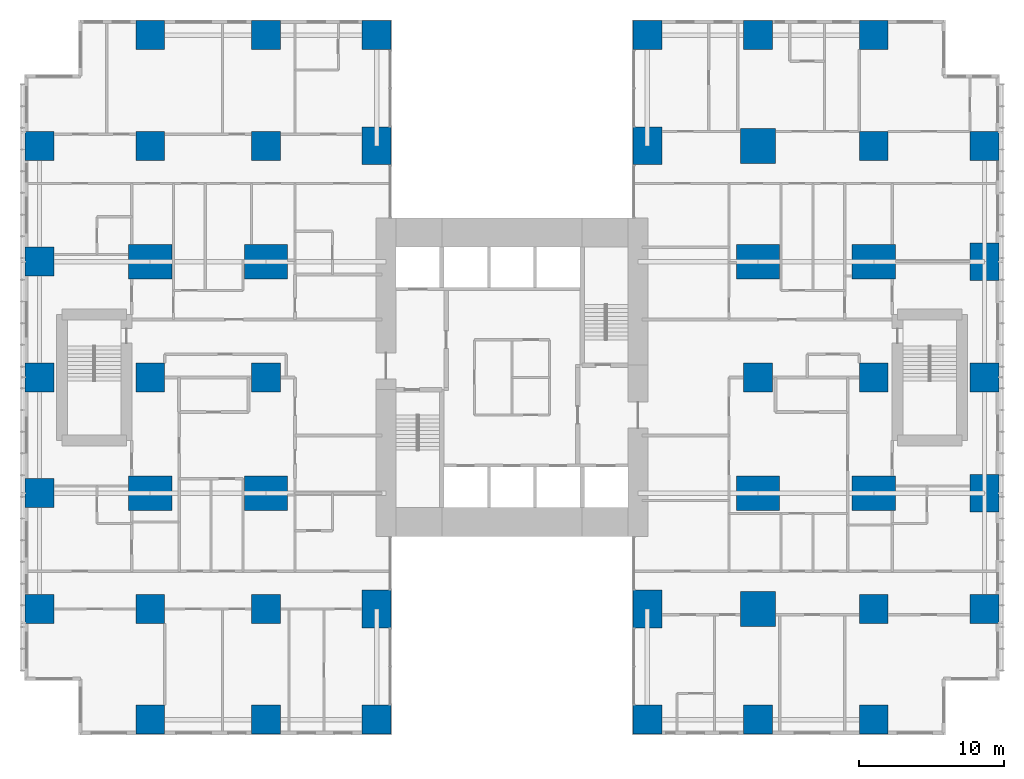
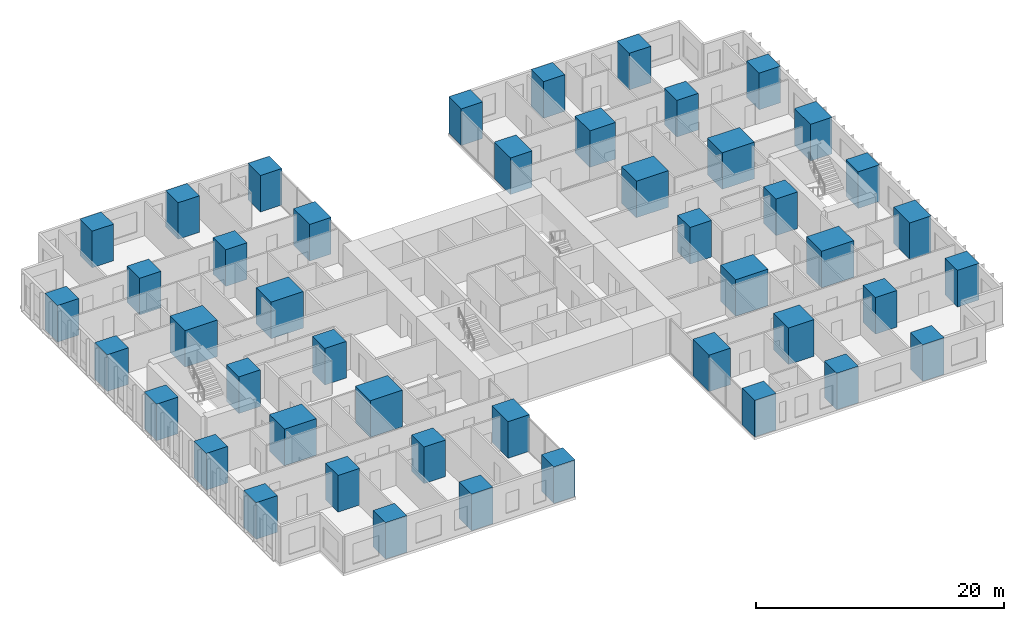
# One storey, part 1 of 20: 46 columns.
"""IFC4 building model written with IfcOpenShell, lengths in metres."""

from ifc_helpers import new_model, si_unit, direction, frame, origin, origin_2d, place, context, subcontext, project, spatial, rectangle, extrude, material, material_profile, profile_set, type_object, element, save


model = new_model("IFC4")

# Units and contexts
model_context = context("Model", 3, precision=1e-05, world=origin(), true_north=direction((0.0, 1.0)))
body_context = subcontext(model_context, "Body", "Model", "MODEL_VIEW")
ifc_project = project(units=[si_unit("LENGTHUNIT", "METRE"), si_unit("AREAUNIT", "SQUARE_METRE"), si_unit("VOLUMEUNIT", "CUBIC_METRE"), si_unit("PLANEANGLEUNIT", "RADIAN"), si_unit("MASSUNIT", "GRAM", prefix="KILO")], contexts=[model_context])

# Site, building, storey
site_placement = place(None, origin())
site = spatial("IfcSite", under=ifc_project, at=site_placement, CompositionType="ELEMENT")
building_placement = place(site_placement, origin())
building = spatial("IfcBuilding", under=site, at=building_placement, Name="Cleftline Residences", CompositionType="ELEMENT")
storey_placement = place(building_placement, frame((0.0, 0.0, 44.0)))
storey = spatial("IfcBuildingStorey", under=building, at=storey_placement, Name="L10", CompositionType="ELEMENT", Elevation=44.0)

# Columns
ifc_material_1 = material(Name="Concrete B70", Category="concrete")
ifc_material_profile_1 = material_profile(ifc_material_1, rectangle(XDim=2.0, YDim=2.0, at=origin_2d()))
ifc_profile_set_1 = profile_set([ifc_material_profile_1], Name="Concrete B70")
column_type_1 = type_object("IfcColumnType", Name="COLUMN RC2000X2000", PredefinedType="COLUMN", material=ifc_profile_set_1)
for number, where, z_axis, x_axis, name in (
    (1, (0.35009765625, 8.0, 0.0), (0.0, 0.0, 1.0), (1.0, 0.0, 0.0), "Column D/3"),
    (2, (0.35009765625, 16.0, 0.0), (0.0, 0.0, 1.0), (1.0, 0.0, 0.0), "Column E/3"),
    (3, (0.35009765625, 24.0, 0.0), (0.0, 0.0, 1.0), (1.0, 0.0, 0.0), "Column F/3"),
    (4, (0.35009765625, 32.0, 0.0), (0.0, 0.0, 1.0), (1.0, 0.0, 0.0), "Column G/3"),
    (5, (0.35009765625, 40.0, 0.0), (0.0, 0.0, 1.0), (1.0, 0.0, 0.0), "Column H/3"),
    (6, (8.0, 0.35009765625, 0.0), (0.0, 0.0, 1.0), (1.0, 0.0, 0.0), "Column C/4"),
    (7, (8.0, 8.0, 0.0), (0.0, 0.0, 1.0), (1.0, 0.0, 0.0), "Column D/4"),
    (8, (8.0, 24.0, 0.0), (0.0, 0.0, 1.0), (1.0, 0.0, 0.0), "Column F/4"),
    (9, (8.0, 40.0, 0.0), (0.0, 0.0, 1.0), (1.0, 0.0, 0.0), "Column H/4"),
    (10, (8.0, 47.64990234375, 0.0), (0.0, 0.0, 1.0), (1.0, 0.0, 0.0), "Column J/4"),
    (11, (16.0, 0.35009765625, 0.0), (0.0, 0.0, 1.0), (1.0, 0.0, 0.0), "Column C/5"),
    (12, (16.0, 8.0, 0.0), (0.0, 0.0, 1.0), (1.0, 0.0, 0.0), "Column D/5"),
    (13, (16.0, 24.0, 0.0), (0.0, 0.0, 1.0), (1.0, 0.0, 0.0), "Column F/5"),
    (14, (16.0, 40.0, 0.0), (0.0, 0.0, 1.0), (1.0, 0.0, 0.0), "Column H/5"),
    (15, (16.0, 47.64990234375, 0.0), (0.0, 0.0, 1.0), (1.0, 0.0, 0.0), "Column J/5"),
    (16, (23.64990234375, 0.35009765625, 0.0), (0.0, 0.0, 1.0), (1.0, 0.0, 0.0), "Column C/6"),
    (17, (23.64990234375, 47.64990234375, 0.0), (0.0, 0.0, 1.0), (1.0, 0.0, 0.0), "Column J/6"),
    (18, (42.35009765625, 0.35009765625, 0.0), (0.0, 0.0, 1.0), (1.0, 0.0, 0.0), "Column C/8"),
    (19, (42.35009765625, 47.64990234375, 0.0), (0.0, 0.0, 1.0), (1.0, 0.0, 0.0), "Column J/8"),
    (20, (50.0, 0.35009765625, 0.0), (0.0, 0.0, 1.0), (1.0, 0.0, 0.0), "Column C/9"),
    (21, (50.0, 24.0, 0.0), (0.0, 0.0, 1.0), (1.0, 0.0, 0.0), "Column F/9"),
    (22, (50.0, 47.64990234375, 0.0), (0.0, 0.0, 1.0), (1.0, 0.0, 0.0), "Column J/9"),
    (23, (58.0, 0.35009765625, 0.0), (0.0, 0.0, 1.0), (1.0, 0.0, 0.0), "Column C/10"),
    (24, (58.0, 8.0, 0.0), (0.0, 0.0, 1.0), (1.0, 0.0, 0.0), "Column D/10"),
    (25, (58.0, 24.0, 0.0), (0.0, 0.0, 1.0), (1.0, 0.0, 0.0), "Column F/10"),
    (26, (58.0, 40.0, 0.0), (0.0, 0.0, 1.0), (1.0, 0.0, 0.0), "Column H/10"),
    (27, (58.0, 47.64990234375, 0.0), (0.0, 0.0, 1.0), (1.0, 0.0, 0.0), "Column J/10"),
    (28, (65.64990234375, 8.0, 0.0), (0.0, 0.0, 1.0), (1.0, 0.0, 0.0), "Column D/11"),
    (29, (65.64990234375, 24.0, 0.0), (0.0, 0.0, 1.0), (1.0, 0.0, 0.0), "Column F/11"),
    (30, (65.64990234375, 40.0, 0.0), (0.0, 0.0, 1.0), (1.0, 0.0, 0.0), "Column H/11"),
):
    element("IfcColumn", number, at=place(storey_placement, frame(where, z_axis=z_axis, x_axis=x_axis)), inside=storey, type_object=column_type_1, Name=name, PredefinedType="COLUMN", context=body_context, shape_type="SweptSolid", body=[
        extrude(rectangle(XDim=2.0, YDim=2.0, at=origin_2d()), origin(), (0.0, 0.0, 1.0), 3.60009765625),
    ])
ifc_material_2 = material(Name="Concrete B70", Category="concrete")
ifc_material_profile_2 = material_profile(ifc_material_2, rectangle(XDim=2.0, YDim=2.60009765625, at=origin_2d()))
ifc_profile_set_2 = profile_set([ifc_material_profile_2], Name="Concrete B70")
column_type_2 = type_object("IfcColumnType", Name="COLUMN RC2000X2600", PredefinedType="COLUMN", material=ifc_profile_set_2)
for number, where, z_axis, x_axis, name in (
    (31, (23.64990234375, 8.0, 0.0), (0.0, 0.0, 1.0), (1.0, 0.0, 0.0), "Column D/6"),
    (32, (23.64990234375, 40.0, 0.0), (0.0, 0.0, 1.0), (1.0, 0.0, 0.0), "Column H/6"),
    (33, (42.35009765625, 8.0, 0.0), (0.0, 0.0, 1.0), (1.0, 0.0, 0.0), "Column D/8"),
    (34, (42.35009765625, 40.0, 0.0), (0.0, 0.0, 1.0), (1.0, 0.0, 0.0), "Column H/8"),
):
    element("IfcColumn", number, at=place(storey_placement, frame(where, z_axis=z_axis, x_axis=x_axis)), inside=storey, type_object=column_type_2, Name=name, PredefinedType="COLUMN", context=body_context, shape_type="SweptSolid", body=[
        extrude(rectangle(XDim=2.0, YDim=2.60009765625, at=origin_2d()), origin(), (0.0, 0.0, 1.0), 3.60009765625),
    ])
ifc_material_3 = material(Name="Concrete B70", Category="concrete")
ifc_material_profile_3 = material_profile(ifc_material_3, rectangle(XDim=2.39990234375, YDim=2.39990234375, at=origin_2d()))
ifc_profile_set_3 = profile_set([ifc_material_profile_3], Name="Concrete B70")
column_type_3 = type_object("IfcColumnType", Name="COLUMN RC2400X2400", PredefinedType="COLUMN", material=ifc_profile_set_3)
for number, where, z_axis, x_axis, name in (
    (35, (50.0, 8.0, 0.0), (0.0, 0.0, 1.0), (1.0, 0.0, 0.0), "Column D/9"),
    (36, (50.0, 40.0, 0.0), (0.0, 0.0, 1.0), (1.0, 0.0, 0.0), "Column H/9"),
):
    element("IfcColumn", number, at=place(storey_placement, frame(where, z_axis=z_axis, x_axis=x_axis)), inside=storey, type_object=column_type_3, Name=name, PredefinedType="COLUMN", context=body_context, shape_type="SweptSolid", body=[
        extrude(rectangle(XDim=2.39990234375, YDim=2.39990234375, at=origin_2d()), origin(), (0.0, 0.0, 1.0), 3.60009765625),
    ])
ifc_material_4 = material(Name="Concrete B70", Category="concrete")
ifc_material_profile_4 = material_profile(ifc_material_4, rectangle(XDim=2.60009765625, YDim=2.0, at=origin_2d()))
ifc_profile_set_4 = profile_set([ifc_material_profile_4], Name="Concrete B70")
column_type_4 = type_object("IfcColumnType", Name="COLUMN RC2600X2000", PredefinedType="COLUMN", material=ifc_profile_set_4)
for number, where, z_axis, x_axis, name in (
    (37, (65.64990234375, 16.0, 0.0), (0.0, 0.0, 1.0), (0.0, 1.0, 0.0), "Column E/11"),
    (38, (65.64990234375, 32.0, 0.0), (0.0, 0.0, 1.0), (0.0, 1.0, 0.0), "Column G/11"),
):
    element("IfcColumn", number, at=place(storey_placement, frame(where, z_axis=z_axis, x_axis=x_axis)), inside=storey, type_object=column_type_4, Name=name, PredefinedType="COLUMN", context=body_context, shape_type="SweptSolid", body=[
        extrude(rectangle(XDim=2.60009765625, YDim=2.0, at=origin_2d()), origin(), (0.0, 0.0, 1.0), 3.60009765625),
    ])
ifc_material_5 = material(Name="Concrete B70", Category="concrete")
ifc_material_profile_5 = material_profile(ifc_material_5, rectangle(XDim=3.0, YDim=2.39990234375, at=origin_2d()))
ifc_profile_set_5 = profile_set([ifc_material_profile_5], Name="Concrete B70")
column_type_5 = type_object("IfcColumnType", Name="COLUMN RC3000X2400", PredefinedType="COLUMN", material=ifc_profile_set_5)
for number, where, z_axis, x_axis, name in (
    (39, (8.0, 16.0, 0.0), (0.0, 0.0, 1.0), (1.0, 0.0, 0.0), "Column E/4"),
    (40, (8.0, 32.0, 0.0), (0.0, 0.0, 1.0), (1.0, 0.0, 0.0), "Column G/4"),
    (41, (16.0, 16.0, 0.0), (0.0, 0.0, 1.0), (1.0, 0.0, 0.0), "Column E/5"),
    (42, (16.0, 32.0, 0.0), (0.0, 0.0, 1.0), (1.0, 0.0, 0.0), "Column G/5"),
    (43, (50.0, 16.0, 0.0), (0.0, 0.0, 1.0), (1.0, 0.0, 0.0), "Column E/9"),
    (44, (50.0, 32.0, 0.0), (0.0, 0.0, 1.0), (1.0, 0.0, 0.0), "Column G/9"),
    (45, (58.0, 16.0, 0.0), (0.0, 0.0, 1.0), (1.0, 0.0, 0.0), "Column E/10"),
    (46, (58.0, 32.0, 0.0), (0.0, 0.0, 1.0), (1.0, 0.0, 0.0), "Column G/10"),
):
    element("IfcColumn", number, at=place(storey_placement, frame(where, z_axis=z_axis, x_axis=x_axis)), inside=storey, type_object=column_type_5, Name=name, PredefinedType="COLUMN", context=body_context, shape_type="SweptSolid", body=[
        extrude(rectangle(XDim=3.0, YDim=2.39990234375, at=origin_2d()), origin(), (0.0, 0.0, 1.0), 3.60009765625),
    ])

save(model, "model.ifc")
